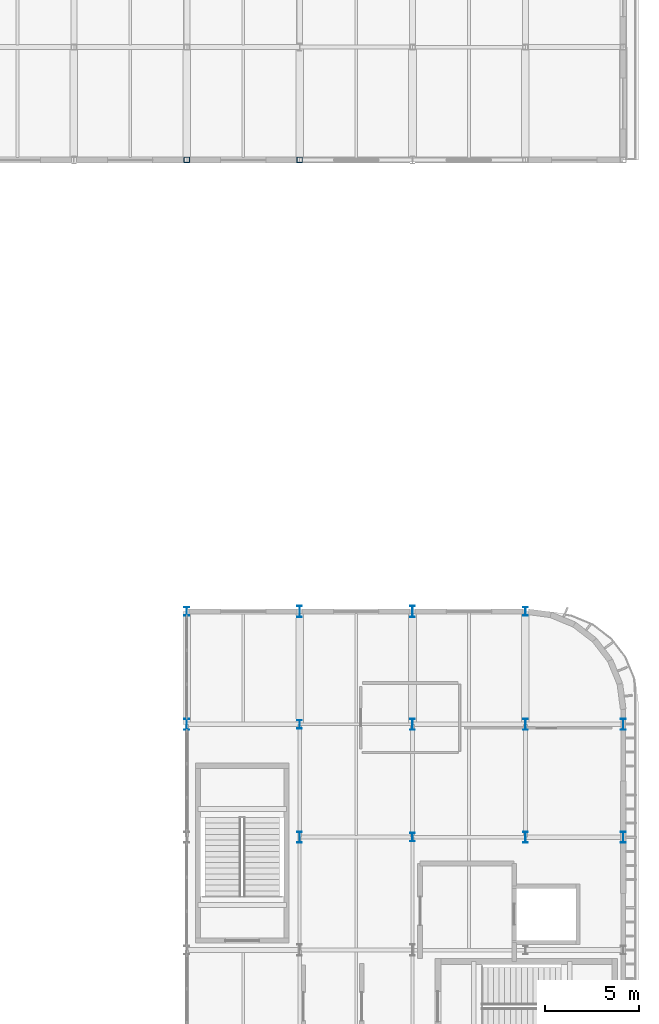
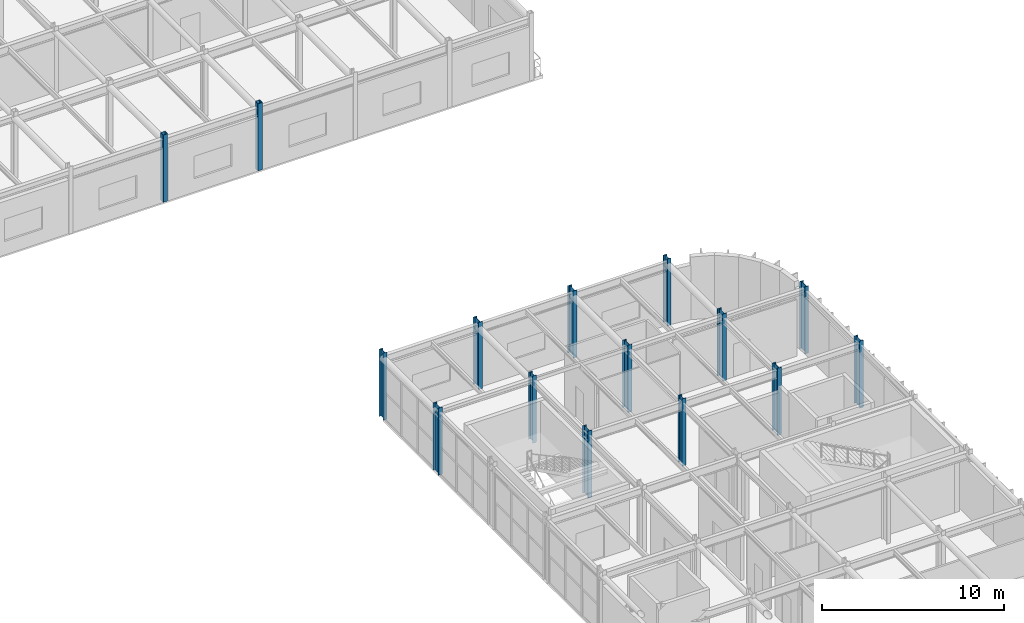
# One storey, part 20 of 96: 15 columns.
"""IFC4 building model written with IfcOpenShell, lengths in metres."""

from ifc_helpers import new_model, si_unit, direction, frame, origin, origin_2d, place, context, subcontext, project, spatial, hollow_rectangle, i_section, extrude, material, material_profile, profile_set, type_object, element, save


model = new_model("IFC4")

# Units and contexts
model_context = context("Model", 3, precision=1e-05, world=origin(), true_north=direction((0.0, 1.0)))
body_context = subcontext(model_context, "Body", "Model", "MODEL_VIEW")
ifc_project = project(units=[si_unit("LENGTHUNIT", "METRE"), si_unit("AREAUNIT", "SQUARE_METRE"), si_unit("VOLUMEUNIT", "CUBIC_METRE"), si_unit("PLANEANGLEUNIT", "RADIAN"), si_unit("MASSUNIT", "GRAM", prefix="KILO")], contexts=[model_context])

# Site, building, storey
site_placement = place(None, origin())
site = spatial("IfcSite", under=ifc_project, at=site_placement, CompositionType="ELEMENT")
building_placement = place(site_placement, origin())
building = spatial("IfcBuilding", under=site, at=building_placement, Name="Varnakota Square Police Headquarters", CompositionType="ELEMENT")
storey_placement = place(building_placement, frame((0.0, 0.0, 4.800048828125)))
storey = spatial("IfcBuildingStorey", under=building, at=storey_placement, Name="L01", CompositionType="ELEMENT", Elevation=4.800048828125)

# Columns
ifc_material = material(Name="Steel IS 2062 Grade 350", Category="steel")
ifc_material_profile_1 = material_profile(ifc_material, i_section(OverallWidth=0.25, OverallDepth=0.449951171875, WebThickness=0.01123046875, FlangeThickness=0.013671875, FilletRadius=0.014892578125, at=origin_2d()), Name="ISHB 450")
ifc_profile_set_1 = profile_set([ifc_material_profile_1], Name="Steel IS 2062 Grade 350")
column_type_1 = type_object("IfcColumnType", Name="COL-ISHB450", PredefinedType="COLUMN", material=ifc_profile_set_1)
for number, where, z_axis, x_axis, name in (
    (1, (138.0, 45.0, 0.0), (0.0, 0.0, 1.0), (1.0, 0.0, 0.0), "Column X1380-Y0450 L01"),
    (2, (144.0, 39.0, 0.0), (0.0, 0.0, 1.0), (1.0, 0.0, 0.0), "Column X1440-Y0390 L01"),
    (3, (150.0, 33.0, 0.0), (0.0, 0.0, 1.0), (1.0, 0.0, 0.0), "Column X1500-Y0330 L01"),
    (4, (156.0, 45.0, 0.0), (0.0, 0.0, 1.0), (1.0, 0.0, 0.0), "Column X1560-Y0450 L01"),
):
    element("IfcColumn", number, at=place(storey_placement, frame(where, z_axis=z_axis, x_axis=x_axis)), inside=storey, type_object=column_type_1, Name=name, PredefinedType="COLUMN", context=body_context, shape_type="SweptSolid", body=[
        extrude(i_section(OverallWidth=0.25, OverallDepth=0.449951171875, WebThickness=0.01123046875, FlangeThickness=0.013671875, FilletRadius=0.014892578125, at=origin_2d()), origin(), (0.0, 0.0, 1.0), 4.5),
    ])
ifc_material_profile_2 = material_profile(ifc_material, i_section(OverallWidth=0.25, OverallDepth=0.60009765625, WebThickness=0.01171875, FlangeThickness=0.023681640625, FilletRadius=0.01708984375, at=origin_2d()), Name="ISWB 600")
ifc_profile_set_2 = profile_set([ifc_material_profile_2], Name="Steel IS 2062 Grade 350")
column_type_2 = type_object("IfcColumnType", Name="COL-ISWB600", PredefinedType="COLUMN", material=ifc_profile_set_2)
for number, where, z_axis, x_axis, name in (
    (5, (138.0, 39.0, 0.0), (0.0, 0.0, 1.0), (1.0, 0.0, 0.0), "Column X1380-Y0390 L01"),
    (6, (144.0, 33.0, 0.0), (0.0, 0.0, 1.0), (1.0, 0.0, 0.0), "Column X1440-Y0330 L01"),
    (7, (144.0, 45.0, 0.0), (0.0, 0.0, 1.0), (1.0, 0.0, 0.0), "Column X1440-Y0450 L01"),
    (8, (150.0, 39.0, 0.0), (0.0, 0.0, 1.0), (1.0, 0.0, 0.0), "Column X1500-Y0390 L01"),
    (9, (150.0, 45.0, 0.0), (0.0, 0.0, 1.0), (1.0, 0.0, 0.0), "Column X1500-Y0450 L01"),
    (10, (156.0, 33.0, 0.0), (0.0, 0.0, 1.0), (1.0, 0.0, 0.0), "Column X1560-Y0330 L01"),
    (11, (156.0, 39.0, 0.0), (0.0, 0.0, 1.0), (1.0, 0.0, 0.0), "Column X1560-Y0390 L01"),
    (12, (161.199951171875, 33.0, 0.0), (0.0, 0.0, 1.0), (1.0, 0.0, 0.0), "Column X1612-Y0330 L01"),
    (13, (161.199951171875, 39.0, 0.0), (0.0, 0.0, 1.0), (1.0, 0.0, 0.0), "Column X1612-Y0390 L01"),
):
    element("IfcColumn", number, at=place(storey_placement, frame(where, z_axis=z_axis, x_axis=x_axis)), inside=storey, type_object=column_type_2, Name=name, PredefinedType="COLUMN", context=body_context, shape_type="SweptSolid", body=[
        extrude(i_section(OverallWidth=0.25, OverallDepth=0.60009765625, WebThickness=0.01171875, FlangeThickness=0.023681640625, FilletRadius=0.01708984375, at=origin_2d()), origin(), (0.0, 0.0, 1.0), 4.5),
    ])
ifc_material_profile_3 = material_profile(ifc_material, hollow_rectangle(XDim=0.300048828125, YDim=0.300048828125, WallThickness=0.01611328125, InnerFilletRadius=0.01611328125, OuterFilletRadius=0.031982421875, at=origin_2d()), Name="SHS 300x300x16")
ifc_profile_set_3 = profile_set([ifc_material_profile_3], Name="Steel IS 2062 Grade 350")
column_type_3 = type_object("IfcColumnType", Name="COL-SHS300", PredefinedType="COLUMN", material=ifc_profile_set_3)
for number, where, z_axis, x_axis, name in (
    (14, (138.0, 69.0, 0.0), (0.0, 0.0, 1.0), (1.0, 0.0, 0.0), "Column X1380-Y0690 L01"),
    (15, (144.0, 69.0, 0.0), (0.0, 0.0, 1.0), (1.0, 0.0, 0.0), "Column X1440-Y0690 L01"),
):
    element("IfcColumn", number, at=place(storey_placement, frame(where, z_axis=z_axis, x_axis=x_axis)), inside=storey, type_object=column_type_3, Name=name, PredefinedType="COLUMN", context=body_context, shape_type="SweptSolid", body=[
        extrude(hollow_rectangle(XDim=0.300048828125, YDim=0.300048828125, WallThickness=0.01611328125, InnerFilletRadius=0.01611328125, OuterFilletRadius=0.031982421875, at=origin_2d()), origin(), (0.0, 0.0, 1.0), 4.5),
    ])

save(model, "model.ifc")
